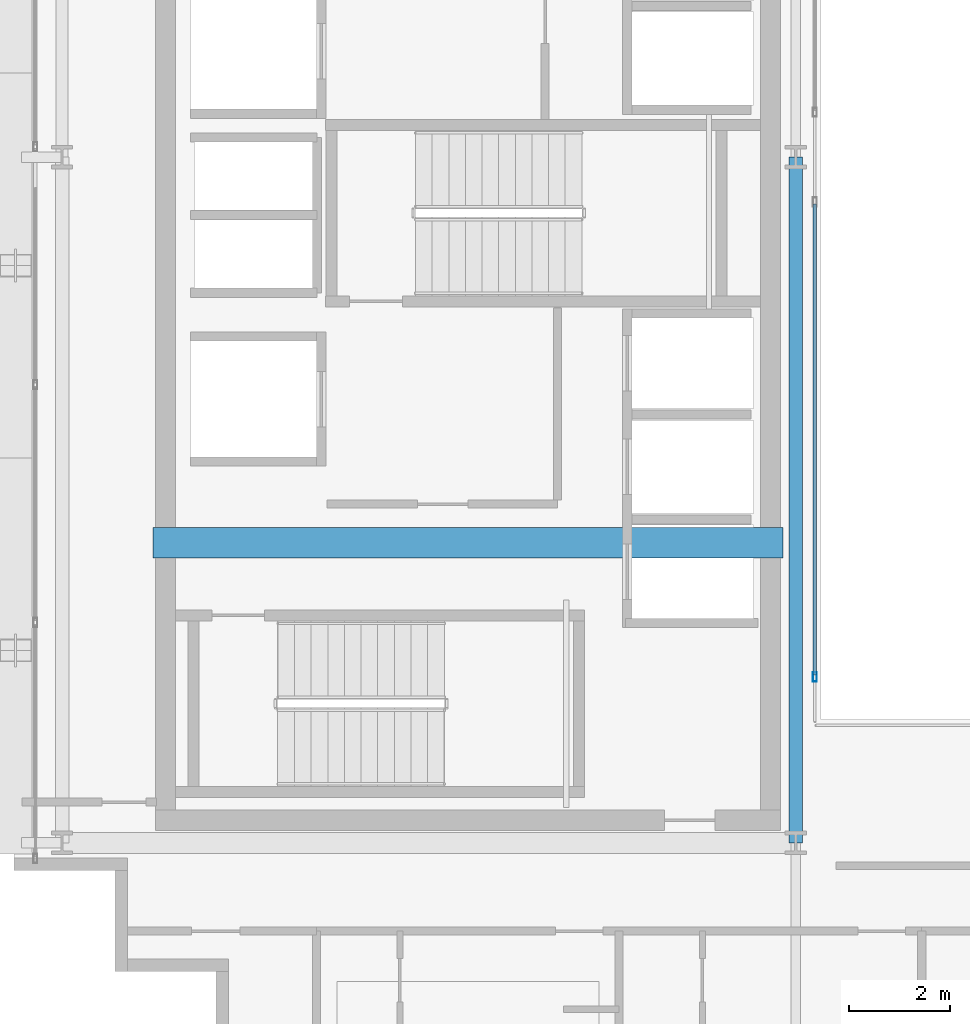
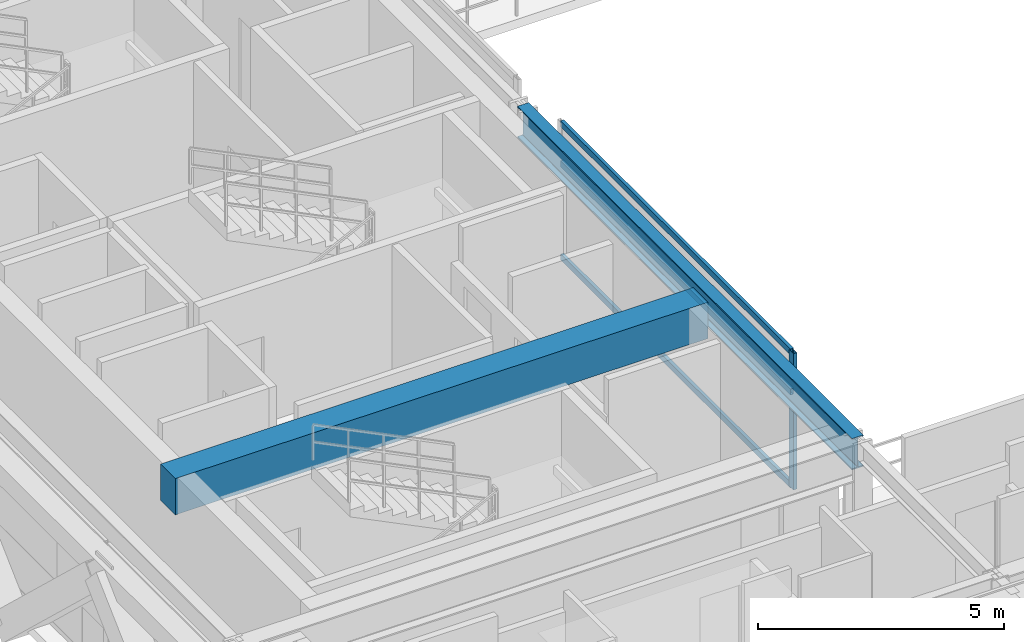
# One storey, part 4 of 29: 4 members, 2 beams, 1 element without a shape of its own.
"""IFC4 building model written with IfcOpenShell, lengths in metres."""

from ifc_helpers import new_model, si_unit, direction, frame, origin, origin_2d, place, context, subcontext, project, spatial, rectangle, hollow_rectangle, i_section, extrude, source, transform, mapped, material, layer, layer_set, material_profile, profile_set, type_object, element, aggregate, save


model = new_model("IFC4")

# Units and contexts
model_context = context("Model", 3, precision=1e-05, world=origin(), true_north=direction((0.0, 1.0)))
body_context = subcontext(model_context, "Body", "Model", "MODEL_VIEW")
ifc_project = project(units=[si_unit("LENGTHUNIT", "METRE"), si_unit("AREAUNIT", "SQUARE_METRE"), si_unit("VOLUMEUNIT", "CUBIC_METRE"), si_unit("PLANEANGLEUNIT", "RADIAN"), si_unit("MASSUNIT", "GRAM", prefix="KILO")], contexts=[model_context])

# Site, building, storey
site_placement = place(None, origin())
site = spatial("IfcSite", under=ifc_project, at=site_placement, CompositionType="ELEMENT")
building_placement = place(site_placement, origin())
building = spatial("IfcBuilding", under=site, at=building_placement, Name="Ocotamira Hotel", CompositionType="ELEMENT")
storey_placement = place(building_placement, frame((0.0, 0.0, 236.39990234375)))
storey = spatial("IfcBuildingStorey", under=building, at=storey_placement, Name="L59", CompositionType="ELEMENT", Elevation=236.39990234375)

# Beams
ifc_material_1 = material(Name="Concrete C50/60", Category="concrete")
ifc_material_profile_1 = material_profile(ifc_material_1, rectangle(XDim=0.60009765625, YDim=0.89990234375, at=origin_2d()), Name="RC600X900")
ifc_profile_set_1 = profile_set([ifc_material_profile_1], Name="Concrete C50/60")
beam_type_1 = type_object("IfcBeamType", Name="BM-LINK-RC600", PredefinedType="LINTEL", material=ifc_profile_set_1)
shared_shape_1 = source(origin(), body_context, "Body", "SweptSolid", [
    extrude(rectangle(XDim=0.60009765625, YDim=0.89990234375, at=origin_2d()), origin(), (0.0, 0.0, 1.0), 12.5),
])
beam_1_placement = place(storey_placement, frame((10.75, 20.5, 2.93017578125), z_axis=(1.0, 0.0, 0.0), x_axis=(0.0, 1.0, 0.0)))
element("IfcBeam", 1, at=beam_1_placement, inside=storey, type_object=beam_type_1, Name="L59 West Core Coupling Beam", PredefinedType="LINTEL", context=body_context, shape_type="MappedRepresentation", body=[
    mapped(shared_shape_1, transform((0.0, 0.0, 0.0), scale=1.0)),
])
ifc_material_2 = material(Name="Steel ASTM A992 Grade 50", Category="steel")
ifc_material_profile_2 = material_profile(ifc_material_2, i_section(OverallWidth=0.26611328125, OverallDepth=0.779052734375, WebThickness=0.0166015625, FlangeThickness=0.030029296875, FilletRadius=0.01806640625, at=origin_2d()), Name="W30X148")
ifc_profile_set_2 = profile_set([ifc_material_profile_2], Name="Steel ASTM A992 Grade 50")
beam_type_2 = type_object("IfcBeamType", Name="BM-GIRD-W30X148", PredefinedType="BEAM", material=ifc_profile_set_2)
shared_shape_2 = source(origin(), body_context, "Body", "SweptSolid", [
    extrude(i_section(OverallWidth=0.26611328125, OverallDepth=0.779052734375, WebThickness=0.0166015625, FlangeThickness=0.030029296875, FilletRadius=0.01806640625, at=origin_2d()), origin(), (0.0, 0.0, 1.0), 13.599853515625),
])
beam_2_placement = place(storey_placement, frame((23.5, 14.550048828125, 2.990478515625), z_axis=(0.0, 1.0, 0.0), x_axis=(-1.0, 0.0, 0.0)))
element("IfcBeam", 2, at=beam_2_placement, inside=storey, type_object=beam_type_2, Name="L59 Beam X23.5 Y14.55-28.15", PredefinedType="BEAM", context=body_context, shape_type="MappedRepresentation", body=[
    mapped(shared_shape_2, transform((0.0, 0.0, 0.0), scale=1.0)),
])

# Curtain wall, members
ifc_material_3 = material(Name="Anodised pale-metal aluminium and solar glass", Category="aluminium")
ifc_layer = layer(ifc_material_3, 0.159912109375)
ifc_layer_set = layer_set([ifc_layer], Name="Anodised pale-metal aluminium and solar glass")
curtain_wall_type = type_object("IfcCurtainWallType", Name="CW-SYS6-ATR", PredefinedType="NOTDEFINED", material=ifc_layer_set)
curtain_wall_placement = place(storey_placement, origin())
curtain_wall = element("IfcCurtainWall", 3, at=curtain_wall_placement, inside=storey, type_object=curtain_wall_type, Name="L59 Curtain Wall CW-6 CW-L59-ATRW1", PredefinedType="NOTDEFINED")
ifc_material_4 = material(Name="Anodised pale-metal aluminium 6063-T6", Category="aluminium")
ifc_material_profile_3 = material_profile(ifc_material_4, hollow_rectangle(XDim=0.080078125, YDim=0.179931640625, WallThickness=0.006103515625, at=origin_2d()), Name="HSS180X80X6")
ifc_profile_set_3 = profile_set([ifc_material_profile_3], Name="Anodised pale-metal aluminium 6063-T6")
member_type_1 = type_object("IfcMemberType", Name="CWM-180X75", PredefinedType="MULLION", material=ifc_profile_set_3)
shared_shape_3 = source(origin(), body_context, "Body", "SweptSolid", [
    extrude(hollow_rectangle(XDim=0.080078125, YDim=0.179931640625, WallThickness=0.006103515625, at=origin_2d()), origin(), (0.0, 0.0, 1.0), 3.380126953125),
])
member_1_placement = place(storey_placement, frame((23.8798828125, 17.840087890625, 0.0), z_axis=(0.0, 0.0, 1.0), x_axis=(-1.0, 0.0, 0.0)))
member_1 = element("IfcMember", 4, at=member_1_placement, type_object=member_type_1, Name="CW-6 mullion 1", PredefinedType="MULLION", context=body_context, shape_type="MappedRepresentation", body=[
    mapped(shared_shape_3, transform((0.0, 0.0, 0.0), scale=1.0)),
])
ifc_material_profile_4 = material_profile(ifc_material_4, hollow_rectangle(XDim=0.074951171875, YDim=0.14990234375, WallThickness=0.006103515625, at=origin_2d()), Name="HSS150X75X6")
ifc_profile_set_4 = profile_set([ifc_material_profile_4], Name="Anodised pale-metal aluminium 6063-T6")
member_type_2 = type_object("IfcMemberType", Name="CWT-150X75", PredefinedType="USERDEFINED", material=ifc_profile_set_4)
shared_shape_4 = source(origin(), body_context, "Body", "SweptSolid", [
    extrude(hollow_rectangle(XDim=0.074951171875, YDim=0.14990234375, WallThickness=0.006103515625, at=origin_2d()), origin(), (0.0, 0.0, 1.0), 9.340087890625),
])
member_2_placement = place(storey_placement, frame((23.8798828125, 17.8798828125, 0.03759765625), z_axis=(0.0, 1.0, 0.0), x_axis=(-1.0, 0.0, 0.0)))
member_2 = element("IfcMember", 5, at=member_2_placement, type_object=member_type_2, Name="CW-6 transom 1.1", ObjectType="TRANSOM", PredefinedType="USERDEFINED", context=body_context, shape_type="MappedRepresentation", body=[
    mapped(shared_shape_4, transform((0.0, 0.0, 0.0), scale=1.0)),
])
member_3_placement = place(storey_placement, frame((23.8798828125, 17.8798828125, 2.35009765625), z_axis=(0.0, 1.0, 0.0), x_axis=(-1.0, 0.0, 0.0)))
member_3 = element("IfcMember", 6, at=member_3_placement, type_object=member_type_2, Name="CW-6 transom 1.2", ObjectType="TRANSOM", PredefinedType="USERDEFINED", context=body_context, shape_type="MappedRepresentation", body=[
    mapped(shared_shape_4, transform((0.0, 0.0, 0.0), scale=1.0)),
])
member_4_placement = place(storey_placement, frame((23.8798828125, 17.8798828125, 3.342529296875), z_axis=(0.0, 1.0, 0.0), x_axis=(-1.0, 0.0, 0.0)))
member_4 = element("IfcMember", 7, at=member_4_placement, type_object=member_type_2, Name="CW-6 transom 1.3", ObjectType="TRANSOM", PredefinedType="USERDEFINED", context=body_context, shape_type="MappedRepresentation", body=[
    mapped(shared_shape_4, transform((0.0, 0.0, 0.0), scale=1.0)),
])
aggregate(curtain_wall, [member_1, member_2, member_3, member_4])

save(model, "model.ifc")
